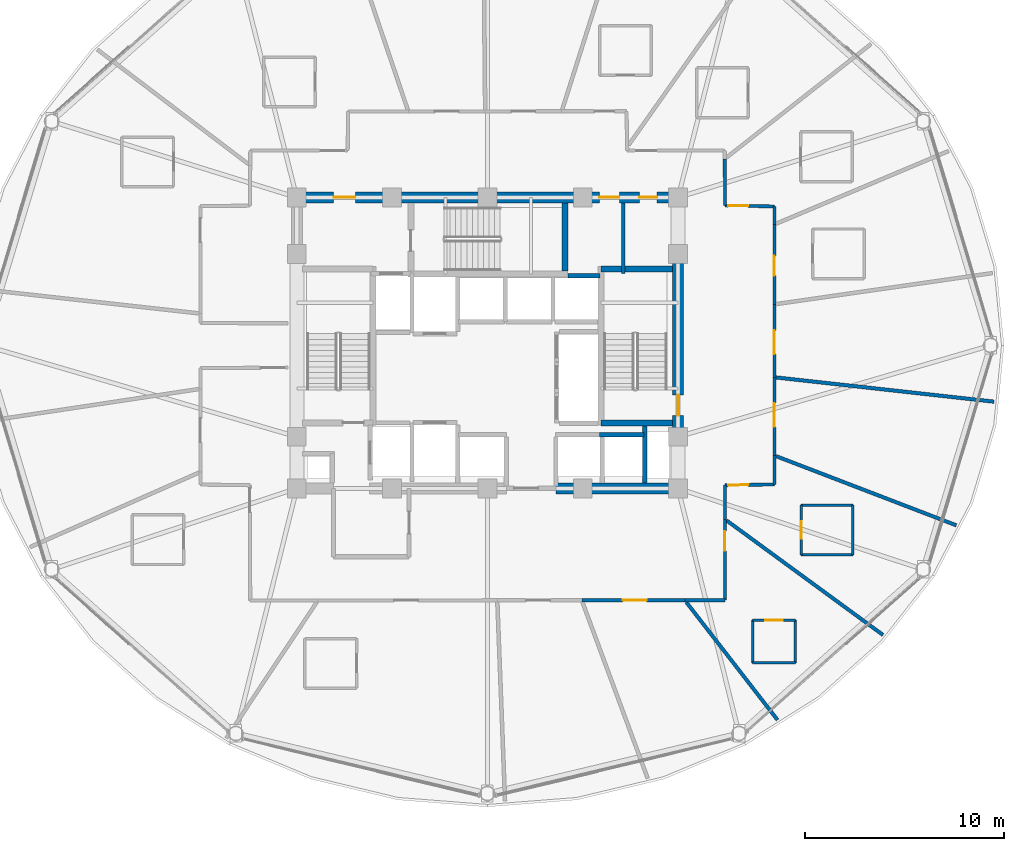
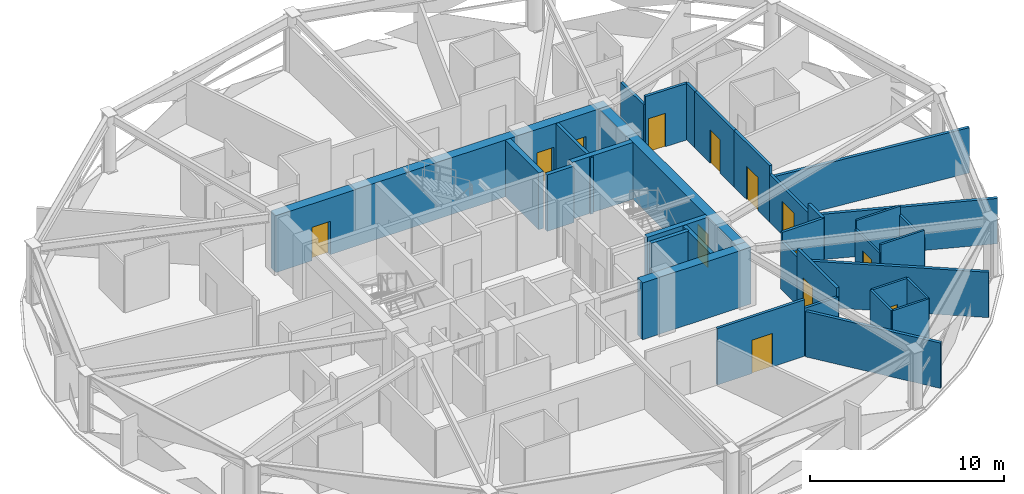
# One storey, part 25 of 31: 34 walls, 13 doors, 13 openings.
"""IFC4 building model written with IfcOpenShell, lengths in metres."""

from ifc_helpers import new_model, si_unit, direction, frame, frame_2d, origin, place, context, subcontext, project, spatial, rectangle, extrude, material, layer, layer_set, type_object, element, fill, save


model = new_model("IFC4")

# Units and contexts
model_context = context("Model", 3, precision=1e-05, world=origin(), true_north=direction((0.0, 1.0)))
body_context = subcontext(model_context, "Body", "Model", "MODEL_VIEW")
ifc_project = project(units=[si_unit("LENGTHUNIT", "METRE"), si_unit("AREAUNIT", "SQUARE_METRE"), si_unit("VOLUMEUNIT", "CUBIC_METRE"), si_unit("PLANEANGLEUNIT", "RADIAN"), si_unit("MASSUNIT", "GRAM", prefix="KILO")], contexts=[model_context])

# Site, building, storey
site_placement = place(None, origin())
site = spatial("IfcSite", under=ifc_project, at=site_placement, CompositionType="ELEMENT")
building_placement = place(site_placement, origin())
building = spatial("IfcBuilding", under=site, at=building_placement, Name="Vantalir Tower", CompositionType="ELEMENT")
storey_placement = place(building_placement, frame((0.0, 0.0, 123.449951171875)))
storey = spatial("IfcBuildingStorey", under=building, at=storey_placement, Name="L30", CompositionType="ELEMENT", Elevation=123.449951171875)

# Wall
ifc_material_1 = material(Name="Moisture-resistant en-suite partition", Category="gypsum")
ifc_layer_1 = layer(ifc_material_1, 0.125)
ifc_layer_set_1 = layer_set([ifc_layer_1], Name="Moisture-resistant en-suite partition")
wall_type_1 = type_object("IfcWallType", Name="WL-BATH-125", PredefinedType="PARTITIONING", material=ifc_layer_set_1)
wall_1_placement = place(storey_placement, frame((44.85888671875, 9.01806640625, 0.0), z_axis=(0.0, 0.0, 1.0), x_axis=(1.0, 0.0, 0.0)))
element("IfcWall", 1, at=wall_1_placement, inside=storey, type_object=wall_type_1, Name="L30 En-suite 15 South Wall", PredefinedType="PARTITIONING", context=body_context, shape_type="SweptSolid", body=[
    extrude(rectangle(XDim=2.150146484375, YDim=0.125, at=frame_2d((1.0751953125, 0.0))), origin(), (0.0, 0.0, 1.0), 3.550048828125),
])

# Wall, opening, door
wall_2_placement = place(storey_placement, frame((44.85888671875, 11.16796875, 0.0), z_axis=(0.0, 0.0, 1.0), x_axis=(1.0, 0.0, 0.0)))
wall_2 = element("IfcWall", 2, at=wall_2_placement, inside=storey, type_object=wall_type_1, Name="L30 En-suite 15 North Wall", PredefinedType="PARTITIONING", context=body_context, shape_type="SweptSolid", body=[
    extrude(rectangle(XDim=2.150146484375, YDim=0.125, at=frame_2d((1.0751953125, 0.0))), origin(), (0.0, 0.0, 1.0), 3.550048828125),
])
opening_1_placement = place(wall_2_placement, frame((0.625, 0.0, 0.0)))
opening_1 = element("IfcOpeningElement", 3, at=opening_1_placement, cuts=wall_2, Name="Opening D-WC", PredefinedType="OPENING", context=body_context, shape_type="SweptSolid", body=[
    extrude(rectangle(XDim=0.89990234375, YDim=2.10009765625, at=frame_2d((0.449951171875, 1.050048828125))), frame((0.0, 0.072509765625, 0.0), z_axis=(0.0, -1.0, 0.0), x_axis=(1.0, 0.0, 0.0)), (0.0, 0.0, 1.0), 0.14501953125),
])
ifc_material_2 = material(Name="Moisture-resistant hardwood door", Category="wood")
door_type_1 = type_object("IfcDoorType", Name="DR-ENSUITE-900", OperationType="NOTDEFINED", PredefinedType="DOOR", material=ifc_material_2)
door_1_placement = place(opening_1_placement, frame((0.89990234375, 0.0, 0.0), z_axis=(0.0, 0.0, 1.0), x_axis=(-1.0, 0.0, 0.0)))
door_1 = element("IfcDoor", 4, at=door_1_placement, inside=storey, type_object=door_type_1, Name="L30 En-suite 15 Door", OperationType="SINGLE_SWING_RIGHT", OverallHeight=2.10009765625, OverallWidth=0.89990234375, PredefinedType="DOOR", context=body_context, shape_type="SweptSolid", body=[
    extrude(rectangle(XDim=0.89990234375, YDim=2.10009765625, at=frame_2d((0.449951171875, 1.050048828125))), frame((0.0, 0.02490234375, 0.0), z_axis=(0.0, -1.0, 0.0), x_axis=(1.0, 0.0, 0.0)), (0.0, 0.0, 1.0), 0.050048828125),
])
fill(opening_1, door_1)

# Walls
for number, where, z_axis, x_axis, name in (
    (5, (44.85888671875, 9.01806640625, 0.0), (0.0, 0.0, 1.0), (0.0, 1.0, 0.0), "L30 En-suite 15 West Wall"),
    (6, (47.009033203125, 9.01806640625, 0.0), (0.0, 0.0, 1.0), (0.0, 1.0, 0.0), "L30 En-suite 15 East Wall"),
):
    element("IfcWall", number, at=place(storey_placement, frame(where, z_axis=z_axis, x_axis=x_axis)), inside=storey, type_object=wall_type_1, Name=name, PredefinedType="PARTITIONING", context=body_context, shape_type="SweptSolid", body=[
        extrude(rectangle(XDim=2.14990234375, YDim=0.125, at=frame_2d((1.074951171875, 0.0))), origin(), (0.0, 0.0, 1.0), 3.550048828125),
    ])
for number, where, z_axis, x_axis, name in (
    (7, (47.302001953125, 14.45703125, 0.0), (0.0, 0.0, 1.0), (1.0, 0.0, 0.0), "L30 En-suite 16 South Wall"),
    (8, (47.302001953125, 16.95703125, 0.0), (0.0, 0.0, 1.0), (1.0, 0.0, 0.0), "L30 En-suite 16 North Wall"),
):
    element("IfcWall", number, at=place(storey_placement, frame(where, z_axis=z_axis, x_axis=x_axis)), inside=storey, type_object=wall_type_1, Name=name, PredefinedType="PARTITIONING", context=body_context, shape_type="SweptSolid", body=[
        extrude(rectangle(XDim=2.60009765625, YDim=0.125, at=frame_2d((1.300048828125, 0.0))), origin(), (0.0, 0.0, 1.0), 3.550048828125),
    ])

# Wall, opening, door
wall_3_placement = place(storey_placement, frame((47.302001953125, 14.45703125, 0.0), z_axis=(0.0, 0.0, 1.0), x_axis=(0.0, 1.0, 0.0)))
wall_3 = element("IfcWall", 9, at=wall_3_placement, inside=storey, type_object=wall_type_1, Name="L30 En-suite 16 West Wall", PredefinedType="PARTITIONING", context=body_context, shape_type="SweptSolid", body=[
    extrude(rectangle(XDim=2.5, YDim=0.125, at=frame_2d((1.25, 0.0))), origin(), (0.0, 0.0, 1.0), 3.006103515625),
])
opening_2_placement = place(wall_3_placement, frame((0.800048828125, 0.0, 0.0)))
opening_2 = element("IfcOpeningElement", 10, at=opening_2_placement, cuts=wall_3, Name="Opening D-WC", PredefinedType="OPENING", context=body_context, shape_type="SweptSolid", body=[
    extrude(rectangle(XDim=0.89990234375, YDim=2.10009765625, at=frame_2d((0.449951171875, 1.050048828125))), frame((0.0, 0.072509765625, 0.0), z_axis=(0.0, -1.0, 0.0), x_axis=(1.0, 0.0, 0.0)), (0.0, 0.0, 1.0), 0.14501953125),
])
door_2_placement = place(opening_2_placement, frame((0.89990234375, 0.0, 0.0), z_axis=(0.0, 0.0, 1.0), x_axis=(-1.0, 0.0, 0.0)))
door_2 = element("IfcDoor", 11, at=door_2_placement, inside=storey, type_object=door_type_1, Name="L30 En-suite 16 Door", OperationType="SINGLE_SWING_LEFT", OverallHeight=2.10009765625, OverallWidth=0.89990234375, PredefinedType="DOOR", context=body_context, shape_type="SweptSolid", body=[
    extrude(rectangle(XDim=0.89990234375, YDim=2.10009765625, at=frame_2d((0.449951171875, 1.050048828125))), frame((0.0, 0.02490234375, 0.0), z_axis=(0.0, -1.0, 0.0), x_axis=(1.0, 0.0, 0.0)), (0.0, 0.0, 1.0), 0.050048828125),
])
fill(opening_2, door_2)

# Walls
wall_4_placement = place(storey_placement, frame((49.902099609375, 14.45703125, 0.0), z_axis=(0.0, 0.0, 1.0), x_axis=(0.0, 1.0, 0.0)))
element("IfcWall", 12, at=wall_4_placement, inside=storey, type_object=wall_type_1, Name="L30 En-suite 16 East Wall", PredefinedType="PARTITIONING", context=body_context, shape_type="SweptSolid", body=[
    extrude(rectangle(XDim=2.5, YDim=0.125, at=frame_2d((1.25, 0.0))), origin(), (0.0, 0.0, 1.0), 3.006103515625),
])
ifc_material_3 = material(Name="Concrete C60/75", Category="concrete")
ifc_layer_2 = layer(ifc_material_3, 0.550048828125)
ifc_layer_set_2 = layer_set([ifc_layer_2], Name="Concrete C60/75")
wall_type_2 = type_object("IfcWallType", Name="WL-CORE-550", PredefinedType="SHEAR", material=ifc_layer_set_2)
wall_5_placement = place(storey_placement, frame((34.949951171875, 17.800048828125, 0.0), z_axis=(0.0, 0.0, 1.0), x_axis=(1.0, 0.0, 0.0)))
element("IfcWall", 13, at=wall_5_placement, inside=storey, type_object=wall_type_2, Name="L30 Core Shear Wall South-East", PredefinedType="SHEAR", context=body_context, shape_type="SweptSolid", body=[
    extrude(rectangle(XDim=6.425048828125, YDim=0.550048828125, at=frame_2d((3.21240234375, 0.0))), origin(), (0.0, 0.0, 1.0), 3.570068359375),
])

# Wall, openings, doors
wall_6_placement = place(storey_placement, frame((21.625, 32.449951171875, 0.0), z_axis=(0.0, 0.0, 1.0), x_axis=(1.0, 0.0, 0.0)))
wall_6 = element("IfcWall", 14, at=wall_6_placement, inside=storey, type_object=wall_type_2, Name="L30 Core Shear Wall North", PredefinedType="SHEAR", context=body_context, shape_type="SweptSolid", body=[
    extrude(rectangle(XDim=19.75, YDim=0.550048828125, at=frame_2d((9.875, 0.0))), origin(), (0.0, 0.0, 1.0), 3.570068359375),
])
opening_3_placement = place(wall_6_placement, frame((2.125, 0.0, 0.0)))
opening_3 = element("IfcOpeningElement", 15, at=opening_3_placement, cuts=wall_6, Name="Opening D-FFL", PredefinedType="OPENING", context=body_context, shape_type="SweptSolid", body=[
    extrude(rectangle(XDim=1.10009765625, YDim=2.10009765625, at=frame_2d((0.550048828125, 1.050048828125))), frame((0.0, 0.284912109375, 0.0), z_axis=(0.0, -1.0, 0.0), x_axis=(1.0, 0.0, 0.0)), (0.0, 0.0, 1.0), 0.570068359375),
])
opening_4_placement = place(wall_6_placement, frame((15.514892578125, 0.0, 0.0)))
opening_4 = element("IfcOpeningElement", 16, at=opening_4_placement, cuts=wall_6, Name="Opening D-GUEST", PredefinedType="OPENING", context=body_context, shape_type="SweptSolid", body=[
    extrude(rectangle(XDim=1.0, YDim=2.10009765625, at=frame_2d((0.5, 1.050048828125))), frame((0.0, 0.284912109375, 0.0), z_axis=(0.0, -1.0, 0.0), x_axis=(1.0, 0.0, 0.0)), (0.0, 0.0, 1.0), 0.570068359375),
])
opening_5_placement = place(wall_6_placement, frame((17.52490234375, 0.0, 0.0)))
opening_5 = element("IfcOpeningElement", 17, at=opening_5_placement, cuts=wall_6, Name="Opening D-CR", PredefinedType="OPENING", context=body_context, shape_type="SweptSolid", body=[
    extrude(rectangle(XDim=0.89990234375, YDim=2.10009765625, at=frame_2d((0.449951171875, 1.050048828125))), frame((0.0, 0.284912109375, 0.0), z_axis=(0.0, -1.0, 0.0), x_axis=(1.0, 0.0, 0.0)), (0.0, 0.0, 1.0), 0.570068359375),
])
ifc_material_4 = material(Name="Fire-rated steel core service door", Category="steel")
door_type_2 = type_object("IfcDoorType", Name="DR-CORE-SERV-900", OperationType="NOTDEFINED", PredefinedType="DOOR", material=ifc_material_4)
door_3_placement = place(opening_5_placement, frame((0.89990234375, 0.0, 0.0), z_axis=(0.0, 0.0, 1.0), x_axis=(-1.0, 0.0, 0.0)))
door_3 = element("IfcDoor", 18, at=door_3_placement, inside=storey, type_object=door_type_2, Name="L30 Housekeeping and Linen Room Door", OperationType="SINGLE_SWING_RIGHT", OverallHeight=2.10009765625, OverallWidth=0.89990234375, PredefinedType="DOOR", context=body_context, shape_type="SweptSolid", body=[
    extrude(rectangle(XDim=0.89990234375, YDim=2.10009765625, at=frame_2d((0.449951171875, 1.050048828125))), frame((0.0, 0.02490234375, 0.0), z_axis=(0.0, -1.0, 0.0), x_axis=(1.0, 0.0, 0.0)), (0.0, 0.0, 1.0), 0.050048828125),
])
fill(opening_5, door_3)
ifc_material_5 = material(Name="Fire-rated acoustic steel door", Category="steel")
door_type_3 = type_object("IfcDoorType", Name="DR-FIRE-LOBBY-1100", OperationType="NOTDEFINED", PredefinedType="DOOR", material=ifc_material_5)
door_4_placement = place(opening_3_placement, frame((1.10009765625, 0.0, 0.0), z_axis=(0.0, 0.0, 1.0), x_axis=(-1.0, 0.0, 0.0)))
door_4 = element("IfcDoor", 19, at=door_4_placement, inside=storey, type_object=door_type_3, Name="L30 Firefighting Lobby East Access Door", OperationType="SINGLE_SWING_RIGHT", OverallHeight=2.10009765625, OverallWidth=1.10009765625, PredefinedType="DOOR", context=body_context, shape_type="SweptSolid", body=[
    extrude(rectangle(XDim=1.10009765625, YDim=2.10009765625, at=frame_2d((0.550048828125, 1.050048828125))), frame((0.0, 0.02490234375, 0.0), z_axis=(0.0, -1.0, 0.0), x_axis=(1.0, 0.0, 0.0)), (0.0, 0.0, 1.0), 0.050048828125),
])
fill(opening_3, door_4)
ifc_material_6 = material(Name="Solid-core teak veneer acoustic fire door", Category="wood")
door_type_4 = type_object("IfcDoorType", Name="DR-GUEST-ENTRY-1000", OperationType="NOTDEFINED", PredefinedType="DOOR", material=ifc_material_6)
door_5_placement = place(opening_4_placement, frame((1.0, 0.0, 0.0), z_axis=(0.0, 0.0, 1.0), x_axis=(-1.0, 0.0, 0.0)))
door_5 = element("IfcDoor", 20, at=door_5_placement, inside=storey, type_object=door_type_4, Name="L30 High-Rise Lift Lobby Door", OperationType="SINGLE_SWING_LEFT", OverallHeight=2.10009765625, OverallWidth=1.0, PredefinedType="DOOR", context=body_context, shape_type="SweptSolid", body=[
    extrude(rectangle(XDim=1.0, YDim=2.10009765625, at=frame_2d((0.5, 1.050048828125))), frame((0.0, 0.02490234375, 0.0), z_axis=(0.0, -1.0, 0.0), x_axis=(1.0, 0.0, 0.0)), (0.0, 0.0, 1.0), 0.050048828125),
])
fill(opening_4, door_5)

# Wall, opening, door
wall_7_placement = place(storey_placement, frame((41.10009765625, 18.074951171875, 0.0), z_axis=(0.0, 0.0, 1.0), x_axis=(0.0, 1.0, 0.0)))
wall_7 = element("IfcWall", 21, at=wall_7_placement, inside=storey, type_object=wall_type_2, Name="L30 Core Shear Wall East", PredefinedType="SHEAR", context=body_context, shape_type="SweptSolid", body=[
    extrude(rectangle(XDim=14.10009765625, YDim=0.550048828125, at=frame_2d((7.050048828125, 0.0))), origin(), (0.0, 0.0, 1.0), 3.570068359375),
])
opening_6_placement = place(wall_7_placement, frame((3.385009765625, 0.0, 0.0)))
opening_6 = element("IfcOpeningElement", 22, at=opening_6_placement, cuts=wall_7, Name="Opening D-ST", PredefinedType="OPENING", context=body_context, shape_type="SweptSolid", body=[
    extrude(rectangle(XDim=1.050048828125, YDim=2.10009765625, at=frame_2d((0.52490234375, 1.050048828125))), frame((0.0, 0.284912109375, 0.0), z_axis=(0.0, -1.0, 0.0), x_axis=(1.0, 0.0, 0.0)), (0.0, 0.0, 1.0), 0.570068359375),
])
ifc_material_7 = material(Name="Fire-rated steel door leaf", Category="steel")
door_type_5 = type_object("IfcDoorType", Name="DR-FIRE-STAIR-1050", OperationType="NOTDEFINED", PredefinedType="DOOR", material=ifc_material_7)
door_6_placement = place(opening_6_placement, origin())
door_6 = element("IfcDoor", 23, at=door_6_placement, inside=storey, type_object=door_type_5, Name="L30 Exit Stair ST2 Fire Door", OperationType="SINGLE_SWING_LEFT", OverallHeight=2.10009765625, OverallWidth=1.050048828125, PredefinedType="DOOR", context=body_context, shape_type="SweptSolid", body=[
    extrude(rectangle(XDim=1.050048828125, YDim=2.10009765625, at=frame_2d((0.52490234375, 1.050048828125))), frame((0.0, 0.02490234375, 0.0), z_axis=(0.0, -1.0, 0.0), x_axis=(1.0, 0.0, 0.0)), (0.0, 0.0, 1.0), 0.050048828125),
])
fill(opening_6, door_6)

# Wall
ifc_material_8 = material(Name="Fire-rated hotel corridor acoustic partition", Category="gypsum")
ifc_layer_3 = layer(ifc_material_8, 0.159912109375)
ifc_layer_set_3 = layer_set([ifc_layer_3], Name="Fire-rated hotel corridor acoustic partition")
wall_type_3 = type_object("IfcWallType", Name="WL-CORR-160", PredefinedType="PARTITIONING", material=ifc_layer_set_3)
wall_8_placement = place(storey_placement, frame((43.449951171875, 34.389892578125, 0.0), z_axis=(0.0, 0.0, 1.0), x_axis=(0.006441424804, -0.999979253808, 0.0)))
element("IfcWall", 24, at=wall_8_placement, inside=storey, type_object=wall_type_3, Name="L30 Corridor Partition 16", PredefinedType="PARTITIONING", context=body_context, shape_type="SweptSolid", body=[
    extrude(rectangle(XDim=2.349853515625, YDim=0.159912109375, at=frame_2d((1.1748046875, 0.0))), origin(), (0.0, 0.0, 1.0), 3.006103515625),
])

# Wall, opening, door
wall_9_placement = place(storey_placement, frame((43.465087890625, 32.0400390625, 0.0), z_axis=(0.0, 0.0, 1.0), x_axis=(0.99987074174, -0.01607792937, 0.0)))
wall_9 = element("IfcWall", 25, at=wall_9_placement, inside=storey, type_object=wall_type_3, Name="L30 Corridor Partition 17", PredefinedType="PARTITIONING", context=body_context, shape_type="SweptSolid", body=[
    extrude(rectangle(XDim=2.490234375, YDim=0.159912109375, at=frame_2d((1.2451171875, 0.0))), origin(), (0.0, 0.0, 1.0), 3.550048828125),
])
opening_7_placement = place(wall_9_placement, frame((0.159912109375, 0.0, 0.0)))
opening_7 = element("IfcOpeningElement", 26, at=opening_7_placement, cuts=wall_9, Name="Opening D-GUEST", PredefinedType="OPENING", context=body_context, shape_type="SweptSolid", body=[
    extrude(rectangle(XDim=1.0, YDim=2.10009765625, at=frame_2d((0.5, 1.050048828125))), frame((0.0, 0.08984375, 0.0), z_axis=(0.0, -1.0, 0.0), x_axis=(1.0, 0.0, 0.0)), (0.0, 0.0, 1.0), 0.179931640625),
])
door_7_placement = place(opening_7_placement, origin())
door_7 = element("IfcDoor", 27, at=door_7_placement, inside=storey, type_object=door_type_4, Name="L30 Deluxe King Hotel Room 02 Door", OperationType="SINGLE_SWING_LEFT", OverallHeight=2.10009765625, OverallWidth=1.0, PredefinedType="DOOR", context=body_context, shape_type="SweptSolid", body=[
    extrude(rectangle(XDim=1.0, YDim=2.10009765625, at=frame_2d((0.5, 1.050048828125))), frame((0.0, 0.02490234375, 0.0), z_axis=(0.0, -1.0, 0.0), x_axis=(1.0, 0.0, 0.0)), (0.0, 0.0, 1.0), 0.050048828125),
])
fill(opening_7, door_7)

# Wall
wall_10_placement = place(storey_placement, frame((45.955078125, 32.0, 0.0), z_axis=(0.0, 0.0, 1.0), x_axis=(0.0, -1.0, 0.0)))
element("IfcWall", 28, at=wall_10_placement, inside=storey, type_object=wall_type_3, Name="L30 Corridor Partition 18", PredefinedType="PARTITIONING", context=body_context, shape_type="SweptSolid", body=[
    extrude(rectangle(XDim=0.906982421875, YDim=0.159912109375, at=frame_2d((0.45361328125, 0.0))), origin(), (0.0, 0.0, 1.0), 3.550048828125),
])

# Wall, opening, door
wall_11_placement = place(storey_placement, frame((45.955078125, 31.093017578125, 0.0), z_axis=(0.0, 0.0, 1.0), x_axis=(0.0, -1.0, 0.0)))
wall_11 = element("IfcWall", 29, at=wall_11_placement, inside=storey, type_object=wall_type_3, Name="L30 Corridor Partition 19", PredefinedType="PARTITIONING", context=body_context, shape_type="SweptSolid", body=[
    extrude(rectangle(XDim=4.02392578125, YDim=0.159912109375, at=frame_2d((2.011962890625, 0.0))), origin(), (0.0, 0.0, 1.0), 3.550048828125),
])
opening_8_placement = place(wall_11_placement, frame((1.5830078125, 0.0, 0.0)))
opening_8 = element("IfcOpeningElement", 30, at=opening_8_placement, cuts=wall_11, Name="Opening D-GUEST", PredefinedType="OPENING", context=body_context, shape_type="SweptSolid", body=[
    extrude(rectangle(XDim=1.0, YDim=2.10009765625, at=frame_2d((0.5, 1.050048828125))), frame((0.0, 0.08984375, 0.0), z_axis=(0.0, -1.0, 0.0), x_axis=(1.0, 0.0, 0.0)), (0.0, 0.0, 1.0), 0.179931640625),
])
door_8_placement = place(opening_8_placement, origin())
door_8 = element("IfcDoor", 31, at=door_8_placement, inside=storey, type_object=door_type_4, Name="L30 Twin Queen Hotel Room 01 Door", OperationType="SINGLE_SWING_RIGHT", OverallHeight=2.10009765625, OverallWidth=1.0, PredefinedType="DOOR", context=body_context, shape_type="SweptSolid", body=[
    extrude(rectangle(XDim=1.0, YDim=2.10009765625, at=frame_2d((0.5, 1.050048828125))), frame((0.0, 0.02490234375, 0.0), z_axis=(0.0, -1.0, 0.0), x_axis=(1.0, 0.0, 0.0)), (0.0, 0.0, 1.0), 0.050048828125),
])
fill(opening_8, door_8)

wall_12_placement = place(storey_placement, frame((45.955078125, 27.069091796875, 0.0), z_axis=(0.0, 0.0, 1.0), x_axis=(0.0, -1.0, 0.0)))
wall_12 = element("IfcWall", 32, at=wall_12_placement, inside=storey, type_object=wall_type_3, Name="L30 Corridor Partition 20", PredefinedType="PARTITIONING", context=body_context, shape_type="SweptSolid", body=[
    extrude(rectangle(XDim=3.674072265625, YDim=0.159912109375, at=frame_2d((1.8369140625, 0.0))), origin(), (0.0, 0.0, 1.0), 3.550048828125),
])
opening_9_placement = place(wall_12_placement, frame((1.30908203125, 0.0, 0.0)))
opening_9 = element("IfcOpeningElement", 33, at=opening_9_placement, cuts=wall_12, Name="Opening D-STE", PredefinedType="OPENING", context=body_context, shape_type="SweptSolid", body=[
    extrude(rectangle(XDim=1.199951171875, YDim=2.10009765625, at=frame_2d((0.60009765625, 1.050048828125))), frame((0.0, 0.08984375, 0.0), z_axis=(0.0, -1.0, 0.0), x_axis=(1.0, 0.0, 0.0)), (0.0, 0.0, 1.0), 0.179931640625),
])
ifc_material_9 = material(Name="Solid-core teak veneer suite entrance door", Category="wood")
door_type_6 = type_object("IfcDoorType", Name="DR-SUITE-ENTRY-1200", OperationType="NOTDEFINED", PredefinedType="DOOR", material=ifc_material_9)
door_9_placement = place(opening_9_placement, origin())
door_9 = element("IfcDoor", 34, at=door_9_placement, inside=storey, type_object=door_type_6, Name="L30 Executive Sky Boardroom 18 Door", OperationType="SINGLE_SWING_LEFT", OverallHeight=2.10009765625, OverallWidth=1.199951171875, PredefinedType="DOOR", context=body_context, shape_type="SweptSolid", body=[
    extrude(rectangle(XDim=1.199951171875, YDim=2.10009765625, at=frame_2d((0.60009765625, 1.050048828125))), frame((0.0, 0.02490234375, 0.0), z_axis=(0.0, -1.0, 0.0), x_axis=(1.0, 0.0, 0.0)), (0.0, 0.0, 1.0), 0.050048828125),
])
fill(opening_9, door_9)

wall_13_placement = place(storey_placement, frame((45.955078125, 23.39501953125, 0.0), z_axis=(0.0, 0.0, 1.0), x_axis=(0.0, -1.0, 0.0)))
wall_13 = element("IfcWall", 35, at=wall_13_placement, inside=storey, type_object=wall_type_3, Name="L30 Corridor Partition 21", PredefinedType="PARTITIONING", context=body_context, shape_type="SweptSolid", body=[
    extrude(rectangle(XDim=3.94091796875, YDim=0.159912109375, at=frame_2d((1.970458984375, 0.0))), origin(), (0.0, 0.0, 1.0), 3.006103515625),
])
opening_10_placement = place(wall_13_placement, frame((1.299072265625, 0.0, 0.0)))
opening_10 = element("IfcOpeningElement", 36, at=opening_10_placement, cuts=wall_13, Name="Opening D-STE", PredefinedType="OPENING", context=body_context, shape_type="SweptSolid", body=[
    extrude(rectangle(XDim=1.199951171875, YDim=2.10009765625, at=frame_2d((0.60009765625, 1.050048828125))), frame((0.0, 0.08984375, 0.0), z_axis=(0.0, -1.0, 0.0), x_axis=(1.0, 0.0, 0.0)), (0.0, 0.0, 1.0), 0.179931640625),
])
door_10_placement = place(opening_10_placement, origin())
door_10 = element("IfcDoor", 37, at=door_10_placement, inside=storey, type_object=door_type_6, Name="L30 Club Reading Lounge 17 Door", OperationType="SINGLE_SWING_RIGHT", OverallHeight=2.10009765625, OverallWidth=1.199951171875, PredefinedType="DOOR", context=body_context, shape_type="SweptSolid", body=[
    extrude(rectangle(XDim=1.199951171875, YDim=2.10009765625, at=frame_2d((0.60009765625, 1.050048828125))), frame((0.0, 0.02490234375, 0.0), z_axis=(0.0, -1.0, 0.0), x_axis=(1.0, 0.0, 0.0)), (0.0, 0.0, 1.0), 0.050048828125),
])
fill(opening_10, door_10)

# Wall
wall_14_placement = place(storey_placement, frame((45.955078125, 19.4541015625, 0.0), z_axis=(0.0, 0.0, 1.0), x_axis=(0.0, -1.0, 0.0)))
element("IfcWall", 38, at=wall_14_placement, inside=storey, type_object=wall_type_3, Name="L30 Corridor Partition 22", PredefinedType="PARTITIONING", context=body_context, shape_type="SweptSolid", body=[
    extrude(rectangle(XDim=1.4580078125, YDim=0.159912109375, at=frame_2d((0.72900390625, 0.0))), origin(), (0.0, 0.0, 1.0), 3.550048828125),
])

# Wall, opening, door
wall_15_placement = place(storey_placement, frame((45.955078125, 17.99609375, 0.0), z_axis=(0.0, 0.0, 1.0), x_axis=(-0.999894728777, -0.014509698976, 0.0)))
wall_15 = element("IfcWall", 39, at=wall_15_placement, inside=storey, type_object=wall_type_3, Name="L30 Corridor Partition 23", PredefinedType="PARTITIONING", context=body_context, shape_type="SweptSolid", body=[
    extrude(rectangle(XDim=2.490234375, YDim=0.159912109375, at=frame_2d((1.2451171875, 0.0))), origin(), (0.0, 0.0, 1.0), 3.550048828125),
])
opening_11_placement = place(wall_15_placement, frame((1.330078125, 0.0, 0.0)))
opening_11 = element("IfcOpeningElement", 40, at=opening_11_placement, cuts=wall_15, Name="Opening D-GUEST", PredefinedType="OPENING", context=body_context, shape_type="SweptSolid", body=[
    extrude(rectangle(XDim=1.0, YDim=2.10009765625, at=frame_2d((0.5, 1.050048828125))), frame((0.0, 0.08984375, 0.0), z_axis=(0.0, -1.0, 0.0), x_axis=(1.0, 0.0, 0.0)), (0.0, 0.0, 1.0), 0.179931640625),
])
door_11_placement = place(opening_11_placement, origin())
door_11 = element("IfcDoor", 41, at=door_11_placement, inside=storey, type_object=door_type_4, Name="L30 Twin Queen Hotel Room 16 Door", OperationType="SINGLE_SWING_LEFT", OverallHeight=2.10009765625, OverallWidth=1.0, PredefinedType="DOOR", context=body_context, shape_type="SweptSolid", body=[
    extrude(rectangle(XDim=1.0, YDim=2.10009765625, at=frame_2d((0.5, 1.050048828125))), frame((0.0, 0.02490234375, 0.0), z_axis=(0.0, -1.0, 0.0), x_axis=(1.0, 0.0, 0.0)), (0.0, 0.0, 1.0), 0.050048828125),
])
fill(opening_11, door_11)

# Wall
wall_16_placement = place(storey_placement, frame((43.465087890625, 17.9599609375, 0.0), z_axis=(0.0, 0.0, 1.0), x_axis=(-0.001279680454, -0.999999181209, 0.0)))
element("IfcWall", 42, at=wall_16_placement, inside=storey, type_object=wall_type_3, Name="L30 Corridor Partition 24", PredefinedType="PARTITIONING", context=body_context, shape_type="SweptSolid", body=[
    extrude(rectangle(XDim=1.717041015625, YDim=0.159912109375, at=frame_2d((0.8583984375, 0.0))), origin(), (0.0, 0.0, 1.0), 3.006103515625),
])

# Wall, opening, door
wall_17_placement = place(storey_placement, frame((43.462890625, 16.242919921875, 0.0), z_axis=(0.0, 0.0, 1.0), x_axis=(-0.001198249694, -0.999999282099, 0.0)))
wall_17 = element("IfcWall", 43, at=wall_17_placement, inside=storey, type_object=wall_type_3, Name="L30 Corridor Partition 25", PredefinedType="PARTITIONING", context=body_context, shape_type="SweptSolid", body=[
    extrude(rectangle(XDim=4.074951171875, YDim=0.159912109375, at=frame_2d((2.03759765625, 0.0))), origin(), (0.0, 0.0, 1.0), 3.550048828125),
])
opening_12_placement = place(wall_17_placement, frame((0.594970703125, 0.0, 0.0)))
opening_12 = element("IfcOpeningElement", 44, at=opening_12_placement, cuts=wall_17, Name="Opening D-GUEST", PredefinedType="OPENING", context=body_context, shape_type="SweptSolid", body=[
    extrude(rectangle(XDim=1.0, YDim=2.10009765625, at=frame_2d((0.5, 1.050048828125))), frame((0.0, 0.08984375, 0.0), z_axis=(0.0, -1.0, 0.0), x_axis=(1.0, 0.0, 0.0)), (0.0, 0.0, 1.0), 0.179931640625),
])
door_12_placement = place(opening_12_placement, origin())
door_12 = element("IfcDoor", 45, at=door_12_placement, inside=storey, type_object=door_type_4, Name="L30 Deluxe King Hotel Room 15 Door", OperationType="SINGLE_SWING_RIGHT", OverallHeight=2.10009765625, OverallWidth=1.0, PredefinedType="DOOR", context=body_context, shape_type="SweptSolid", body=[
    extrude(rectangle(XDim=1.0, YDim=2.10009765625, at=frame_2d((0.5, 1.050048828125))), frame((0.0, 0.02490234375, 0.0), z_axis=(0.0, -1.0, 0.0), x_axis=(1.0, 0.0, 0.0)), (0.0, 0.0, 1.0), 0.050048828125),
])
fill(opening_12, door_12)

# Wall
wall_18_placement = place(storey_placement, frame((43.4580078125, 12.16796875, 0.0), z_axis=(0.0, 0.0, 1.0), x_axis=(-0.999999882802, -0.000484144218, 0.0)))
element("IfcWall", 46, at=wall_18_placement, inside=storey, type_object=wall_type_3, Name="L30 Corridor Partition 26", PredefinedType="PARTITIONING", context=body_context, shape_type="SweptSolid", body=[
    extrude(rectangle(XDim=2.01708984375, YDim=0.159912109375, at=frame_2d((1.008544921875, 0.0))), origin(), (0.0, 0.0, 1.0), 3.006103515625),
])

# Wall, opening, door
wall_19_placement = place(storey_placement, frame((41.44091796875, 12.1669921875, 0.0), z_axis=(0.0, 0.0, 1.0), x_axis=(-0.999999840674, -0.000564493277, 0.0)))
wall_19 = element("IfcWall", 47, at=wall_19_placement, inside=storey, type_object=wall_type_3, Name="L30 Corridor Partition 27", PredefinedType="PARTITIONING", context=body_context, shape_type="SweptSolid", body=[
    extrude(rectangle(XDim=5.18994140625, YDim=0.159912109375, at=frame_2d((2.594970703125, 0.0))), origin(), (0.0, 0.0, 1.0), 3.550048828125),
])
opening_13_placement = place(wall_19_placement, frame((1.922119140625, 0.0, 0.0)))
opening_13 = element("IfcOpeningElement", 48, at=opening_13_placement, cuts=wall_19, Name="Opening D-STE", PredefinedType="OPENING", context=body_context, shape_type="SweptSolid", body=[
    extrude(rectangle(XDim=1.199951171875, YDim=2.10009765625, at=frame_2d((0.60009765625, 1.050048828125))), frame((0.0, 0.08984375, 0.0), z_axis=(0.0, -1.0, 0.0), x_axis=(1.0, 0.0, 0.0)), (0.0, 0.0, 1.0), 0.179931640625),
])
door_13_placement = place(opening_13_placement, origin())
door_13 = element("IfcDoor", 49, at=door_13_placement, inside=storey, type_object=door_type_6, Name="L30 Executive Sky Boardroom 14 Door", OperationType="SINGLE_SWING_LEFT", OverallHeight=2.10009765625, OverallWidth=1.199951171875, PredefinedType="DOOR", context=body_context, shape_type="SweptSolid", body=[
    extrude(rectangle(XDim=1.199951171875, YDim=2.10009765625, at=frame_2d((0.60009765625, 1.050048828125))), frame((0.0, 0.02490234375, 0.0), z_axis=(0.0, -1.0, 0.0), x_axis=(1.0, 0.0, 0.0)), (0.0, 0.0, 1.0), 0.050048828125),
])
fill(opening_13, door_13)

# Walls
ifc_material_10 = material(Name="Concrete blockwork with fireboard lining", Category="masonry")
ifc_layer_4 = layer(ifc_material_10, 0.219970703125)
ifc_layer_set_4 = layer_set([ifc_layer_4], Name="Concrete blockwork with fireboard lining")
wall_type_4 = type_object("IfcWallType", Name="WL-FFL-220", PredefinedType="PARTITIONING", material=ifc_layer_set_4)
wall_20_placement = place(storey_placement, frame((39.419921875, 18.074951171875, 0.0), z_axis=(0.0, 0.0, 1.0), x_axis=(0.0, 1.0, 0.0)))
element("IfcWall", 50, at=wall_20_placement, inside=storey, type_object=wall_type_4, Name="L30 East MEP Riser Wall W", PredefinedType="PARTITIONING", context=body_context, shape_type="SweptSolid", body=[
    extrude(rectangle(XDim=2.875, YDim=0.219970703125, at=frame_2d((1.4375, 0.0))), origin(), (0.0, 0.0, 1.0), 3.550048828125),
])
wall_21_placement = place(storey_placement, frame((37.139892578125, 20.510009765625, 0.0), z_axis=(0.0, 0.0, 1.0), x_axis=(1.0, 0.0, 0.0)))
element("IfcWall", 51, at=wall_21_placement, inside=storey, type_object=wall_type_4, Name="L30 Lift PL-X2 Shaft Rear Wall", PredefinedType="PARTITIONING", context=body_context, shape_type="SweptSolid", body=[
    extrude(rectangle(XDim=2.239990234375, YDim=0.219970703125, at=frame_2d((1.1201171875, 0.0))), origin(), (0.0, 0.0, 1.0), 3.550048828125),
])
wall_22_placement = place(storey_placement, frame((35.56005859375, 28.510009765625, 0.0), z_axis=(0.0, 0.0, 1.0), x_axis=(1.0, 0.0, 0.0)))
element("IfcWall", 52, at=wall_22_placement, inside=storey, type_object=wall_type_4, Name="L30 Lift PL-H3 Shaft Front Wall", PredefinedType="PARTITIONING", context=body_context, shape_type="SweptSolid", body=[
    extrude(rectangle(XDim=1.599853515625, YDim=0.219970703125, at=frame_2d((0.7998046875, 0.0))), origin(), (0.0, 0.0, 1.0), 3.550048828125),
])
ifc_material_11 = material(Name="Twin-stud acoustic fire-rated gypsum partition", Category="gypsum")
ifc_layer_5 = layer(ifc_material_11, 0.179931640625)
ifc_layer_set_5 = layer_set([ifc_layer_5], Name="Twin-stud acoustic fire-rated gypsum partition")
wall_type_5 = type_object("IfcWallType", Name="WL-GUEST-180", PredefinedType="PARTITIONING", material=ifc_layer_set_5)
wall_23_placement = place(storey_placement, frame((38.340087890625, 28.6201171875, 0.0), z_axis=(0.0, 0.0, 1.0), x_axis=(0.0, 1.0, 0.0)))
element("IfcWall", 53, at=wall_23_placement, inside=storey, type_object=wall_type_5, Name="L30 High-Rise Lift Lobby East Wall", PredefinedType="PARTITIONING", context=body_context, shape_type="SweptSolid", body=[
    extrude(rectangle(XDim=3.554931640625, YDim=0.179931640625, at=frame_2d((1.77734375, 0.0))), origin(), (0.0, 0.0, 1.0), 3.550048828125),
])
wall_24_placement = place(storey_placement, frame((41.511962890625, 12.074951171875, 0.0), z_axis=(0.0, 0.0, 1.0), x_axis=(0.61228009247, -0.790640935169, 0.0)))
element("IfcWall", 54, at=wall_24_placement, inside=storey, type_object=wall_type_5, Name="L30 Radial Suite Partition 15", PredefinedType="PARTITIONING", context=body_context, shape_type="SweptSolid", body=[
    extrude(rectangle(XDim=7.5078125, YDim=0.179931640625, at=frame_2d((3.75390625, 0.0))), origin(), (0.0, 0.0, 1.0), 2.85107421875),
])
wall_25_placement = place(storey_placement, frame((43.5400390625, 16.18701171875, 0.0), z_axis=(0.0, 0.0, 1.0), x_axis=(0.806901322402, -0.590686258437, 0.0)))
element("IfcWall", 55, at=wall_25_placement, inside=storey, type_object=wall_type_5, Name="L30 Radial Suite Partition 16", PredefinedType="PARTITIONING", context=body_context, shape_type="SweptSolid", body=[
    extrude(rectangle(XDim=9.768310546875, YDim=0.179931640625, at=frame_2d((4.88427734375, 0.0))), origin(), (0.0, 0.0, 1.0), 2.85107421875),
])
wall_26_placement = place(storey_placement, frame((46.030029296875, 19.425048828125, 0.0), z_axis=(0.0, 0.0, 1.0), x_axis=(0.933599546653, -0.358318135863, 0.0)))
element("IfcWall", 56, at=wall_26_placement, inside=storey, type_object=wall_type_5, Name="L30 Radial Suite Partition 17", PredefinedType="PARTITIONING", context=body_context, shape_type="SweptSolid", body=[
    extrude(rectangle(XDim=9.72900390625, YDim=0.179931640625, at=frame_2d((4.864501953125, 0.0))), origin(), (0.0, 0.0, 1.0), 2.85107421875),
])
wall_27_placement = place(storey_placement, frame((46.030029296875, 23.386962890625, 0.0), z_axis=(0.0, 0.0, 1.0), x_axis=(0.993895854214, -0.110322395627, 0.0)))
element("IfcWall", 57, at=wall_27_placement, inside=storey, type_object=wall_type_5, Name="L30 Radial Suite Partition 18", PredefinedType="PARTITIONING", context=body_context, shape_type="SweptSolid", body=[
    extrude(rectangle(XDim=11.04931640625, YDim=0.179931640625, at=frame_2d((5.524658203125, 0.0))), origin(), (0.0, 0.0, 1.0), 2.85107421875),
])
ifc_material_12 = material(Name="Concrete C50/60", Category="concrete")
ifc_layer_6 = layer(ifc_material_12, 0.300048828125)
ifc_layer_set_6 = layer_set([ifc_layer_6], Name="Concrete C50/60")
wall_type_6 = type_object("IfcWallType", Name="WL-STAIR-300", PredefinedType="SHEAR", material=ifc_layer_set_6)
for number, where, z_axis, x_axis, name in (
    (58, (37.2099609375, 21.10009765625, 0.0), (0.0, 0.0, 1.0), (1.0, 0.0, 0.0), "L30 Stair ST2 South Wall"),
    (59, (37.2099609375, 28.85009765625, 0.0), (0.0, 0.0, 1.0), (1.0, 0.0, 0.0), "L30 Stair ST2 North Wall"),
):
    element("IfcWall", number, at=place(storey_placement, frame(where, z_axis=z_axis, x_axis=x_axis)), inside=storey, type_object=wall_type_6, Name=name, PredefinedType="SHEAR", context=body_context, shape_type="SweptSolid", body=[
        extrude(rectangle(XDim=3.614990234375, YDim=0.300048828125, at=frame_2d((1.8076171875, 0.0))), origin(), (0.0, 0.0, 1.0), 3.570068359375),
    ])
wall_28_placement = place(storey_placement, frame((35.39990234375, 28.75, 0.0), z_axis=(0.0, 0.0, 1.0), x_axis=(0.0, 1.0, 0.0)))
element("IfcWall", 60, at=wall_28_placement, inside=storey, type_object=wall_type_6, Name="L30 Stair ST3 East Wall", PredefinedType="SHEAR", context=body_context, shape_type="SweptSolid", body=[
    extrude(rectangle(XDim=3.425048828125, YDim=0.300048828125, at=frame_2d((1.71240234375, 0.0))), origin(), (0.0, 0.0, 1.0), 3.570068359375),
])

save(model, "model.ifc")
